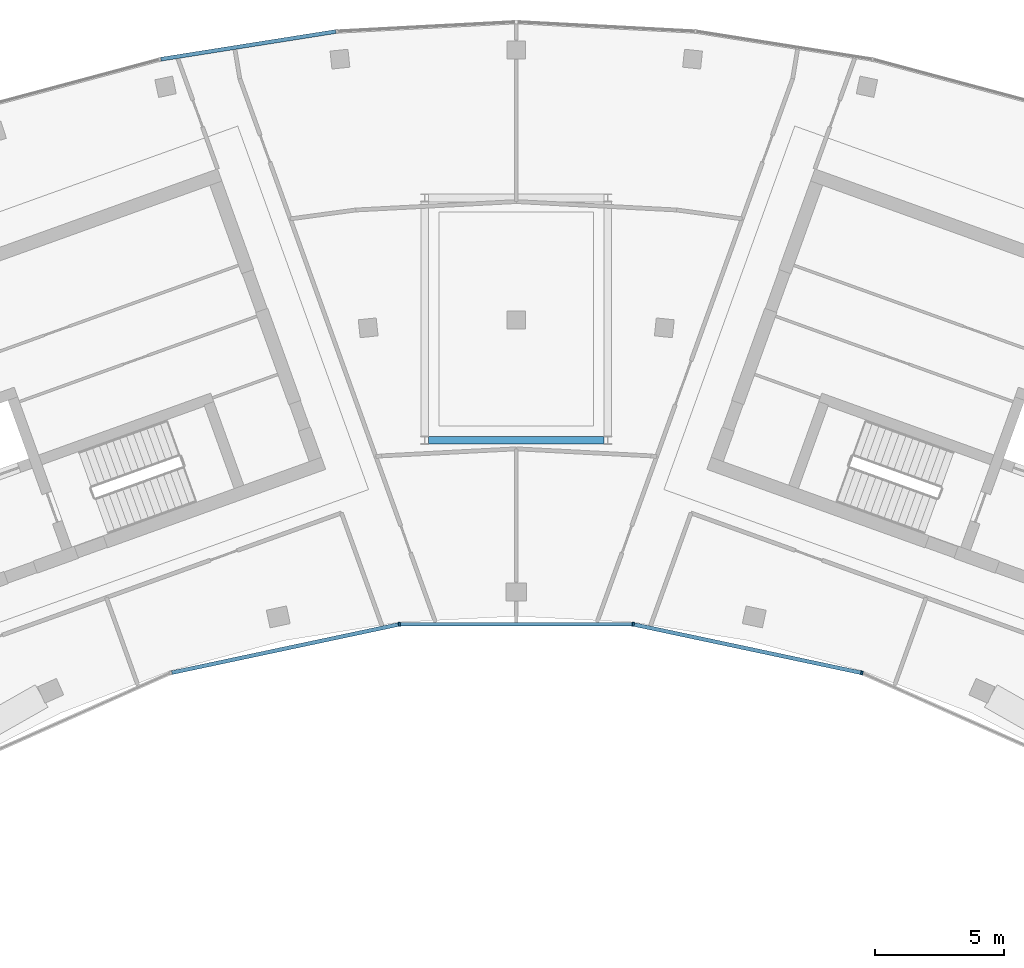
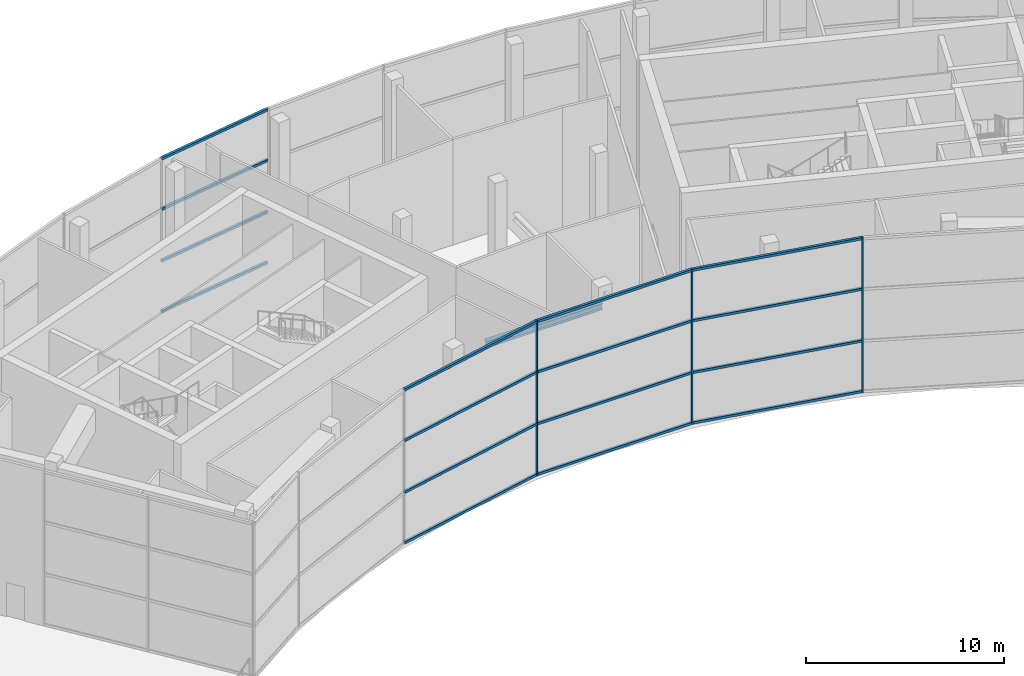
# One storey, part 5 of 20: 20 members, 2 elements without a shape of their own.
"""IFC4 building model written with IfcOpenShell, lengths in metres."""

from ifc_helpers import new_model, si_unit, direction, frame, origin, origin_2d, place, context, subcontext, project, spatial, rectangle, i_section, extrude, material, layer, layer_set, material_profile, profile_set, type_object, element, aggregate, save


model = new_model("IFC4")

# Units and contexts
model_context = context("Model", 3, precision=1e-05, world=origin(), true_north=direction((0.0, 1.0)))
body_context = subcontext(model_context, "Body", "Model", "MODEL_VIEW")
ifc_project = project(units=[si_unit("LENGTHUNIT", "METRE"), si_unit("AREAUNIT", "SQUARE_METRE"), si_unit("VOLUMEUNIT", "CUBIC_METRE"), si_unit("PLANEANGLEUNIT", "RADIAN"), si_unit("MASSUNIT", "GRAM", prefix="KILO")], contexts=[model_context])

# Site, building, storey
site_placement = place(None, origin())
site = spatial("IfcSite", under=ifc_project, at=site_placement, CompositionType="ELEMENT")
building_placement = place(site_placement, origin())
building = spatial("IfcBuilding", under=site, at=building_placement, Name="Stone Belt Terrace Tower", CompositionType="ELEMENT")
storey_placement = place(building_placement, frame((0.0, 0.0, 323.0)))
storey = spatial("IfcBuildingStorey", under=building, at=storey_placement, Name="L78", CompositionType="ELEMENT", Elevation=323.0)

# Curtain wall, members
ifc_material_1 = material(Name="Aluminium 6063-T6 anodised frame", Category="aluminium")
ifc_layer = layer(ifc_material_1, 0.14990234375)
ifc_layer_set = layer_set([ifc_layer], Name="CW-E conservatory and damper hall curtain wall")
curtain_wall_type = type_object("IfcCurtainWallType", Name="CW-E conservatory and damper hall curtain wall", PredefinedType="NOTDEFINED", material=ifc_layer_set)
curtain_wall_1_placement = place(storey_placement, origin())
curtain_wall_1 = element("IfcCurtainWall", 1, at=curtain_wall_1_placement, inside=storey, type_object=curtain_wall_type, Name="CW-E concave face L78", PredefinedType="NOTDEFINED")
ifc_material_profile_1 = material_profile(ifc_material_1, rectangle(XDim=0.14990234375, YDim=0.080078125, at=origin_2d()), Name="Aluminium 6063-T6 80x150")
ifc_profile_set_1 = profile_set([ifc_material_profile_1], Name="Aluminium 6063-T6 anodised frame")
member_type_1 = type_object("IfcMemberType", Name="CW-E mullion 80 x 150", PredefinedType="MULLION", material=ifc_profile_set_1)
member_1_placement = place(storey_placement, frame((-4.5390625, 43.186767578125, 0.0), z_axis=(0.0, 0.0, 1.0), x_axis=(-0.104528463268, 0.994521895368, 0.0)))
member_1 = element("IfcMember", 2, at=member_1_placement, type_object=member_type_1, Name="CW-E mullion 4", PredefinedType="MULLION", context=body_context, shape_type="SweptSolid", body=[
    extrude(rectangle(XDim=0.14990234375, YDim=0.080078125, at=origin_2d()), origin(), (0.0, 0.0, 1.0), 9.60009765625),
])
member_2_placement = place(storey_placement, frame((4.5390625, 43.186767578125, 0.0), z_axis=(0.0, 0.0, 1.0), x_axis=(0.104528463268, 0.994521895368, 0.0)))
member_2 = element("IfcMember", 3, at=member_2_placement, type_object=member_type_1, Name="CW-E mullion 5", PredefinedType="MULLION", context=body_context, shape_type="SweptSolid", body=[
    extrude(rectangle(XDim=0.14990234375, YDim=0.080078125, at=origin_2d()), origin(), (0.0, 0.0, 1.0), 9.60009765625),
])
member_3_placement = place(storey_placement, frame((13.4189453125, 41.29931640625, 0.0), z_axis=(0.0, 0.0, 1.0), x_axis=(0.309016994375, 0.951056516295, 0.0)))
member_3 = element("IfcMember", 4, at=member_3_placement, type_object=member_type_1, Name="CW-E mullion 6", PredefinedType="MULLION", context=body_context, shape_type="SweptSolid", body=[
    extrude(rectangle(XDim=0.14990234375, YDim=0.080078125, at=origin_2d()), origin(), (0.0, 0.0, 1.0), 9.60009765625),
])
ifc_material_profile_2 = material_profile(ifc_material_1, rectangle(XDim=0.14990234375, YDim=0.14990234375, at=origin_2d()), Name="Aluminium 6063-T6 150x150")
ifc_profile_set_2 = profile_set([ifc_material_profile_2], Name="Aluminium 6063-T6 anodised frame")
member_type_2 = type_object("IfcMemberType", Name="CW-E transom 150 x 150", PredefinedType="USERDEFINED", material=ifc_profile_set_2)
member_4_placement = place(storey_placement, frame((-13.372314453125, 41.30908203125, 0.074951171875), z_axis=(0.9781471069, 0.207914014109, 0.0), x_axis=(-0.207914014109, 0.9781471069, 0.0)))
member_4 = element("IfcMember", 5, at=member_4_placement, type_object=member_type_2, Name="CW-E transom 3.1", ObjectType="TRANSOM", PredefinedType="USERDEFINED", context=body_context, shape_type="SweptSolid", body=[
    extrude(rectangle(XDim=0.14990234375, YDim=0.14990234375, at=origin_2d()), origin(), (0.0, 0.0, 1.0), 8.98291015625),
])
member_5_placement = place(storey_placement, frame((-13.372314453125, 41.30908203125, 3.199951171875), z_axis=(0.9781471069, 0.207914014109, 0.0), x_axis=(-0.207914014109, 0.9781471069, 0.0)))
member_5 = element("IfcMember", 6, at=member_5_placement, type_object=member_type_2, Name="CW-E transom 3.2", ObjectType="TRANSOM", PredefinedType="USERDEFINED", context=body_context, shape_type="SweptSolid", body=[
    extrude(rectangle(XDim=0.14990234375, YDim=0.14990234375, at=origin_2d()), origin(), (0.0, 0.0, 1.0), 8.98291015625),
])
member_6_placement = place(storey_placement, frame((-13.372314453125, 41.30908203125, 6.39990234375), z_axis=(0.9781471069, 0.207914014109, 0.0), x_axis=(-0.207914014109, 0.9781471069, 0.0)))
member_6 = element("IfcMember", 7, at=member_6_placement, type_object=member_type_2, Name="CW-E transom 3.3", ObjectType="TRANSOM", PredefinedType="USERDEFINED", context=body_context, shape_type="SweptSolid", body=[
    extrude(rectangle(XDim=0.14990234375, YDim=0.14990234375, at=origin_2d()), origin(), (0.0, 0.0, 1.0), 8.98291015625),
])
member_7_placement = place(storey_placement, frame((-13.372314453125, 41.30908203125, 9.52490234375), z_axis=(0.9781471069, 0.207914014109, 0.0), x_axis=(-0.207914014109, 0.9781471069, 0.0)))
member_7 = element("IfcMember", 8, at=member_7_placement, type_object=member_type_2, Name="CW-E transom 3.4", ObjectType="TRANSOM", PredefinedType="USERDEFINED", context=body_context, shape_type="SweptSolid", body=[
    extrude(rectangle(XDim=0.14990234375, YDim=0.14990234375, at=origin_2d()), origin(), (0.0, 0.0, 1.0), 8.98291015625),
])
member_8_placement = place(storey_placement, frame((-4.491455078125, 43.186767578125, 0.074951171875), z_axis=(1.0, 0.0, 0.0), x_axis=(0.0, 1.0, 0.0)))
member_8 = element("IfcMember", 9, at=member_8_placement, type_object=member_type_2, Name="CW-E transom 4.1", ObjectType="TRANSOM", PredefinedType="USERDEFINED", context=body_context, shape_type="SweptSolid", body=[
    extrude(rectangle(XDim=0.14990234375, YDim=0.14990234375, at=origin_2d()), origin(), (0.0, 0.0, 1.0), 8.98291015625),
])
member_9_placement = place(storey_placement, frame((-4.491455078125, 43.186767578125, 3.199951171875), z_axis=(1.0, 0.0, 0.0), x_axis=(0.0, 1.0, 0.0)))
member_9 = element("IfcMember", 10, at=member_9_placement, type_object=member_type_2, Name="CW-E transom 4.2", ObjectType="TRANSOM", PredefinedType="USERDEFINED", context=body_context, shape_type="SweptSolid", body=[
    extrude(rectangle(XDim=0.14990234375, YDim=0.14990234375, at=origin_2d()), origin(), (0.0, 0.0, 1.0), 8.98291015625),
])
member_10_placement = place(storey_placement, frame((-4.491455078125, 43.186767578125, 6.39990234375), z_axis=(1.0, 0.0, 0.0), x_axis=(0.0, 1.0, 0.0)))
member_10 = element("IfcMember", 11, at=member_10_placement, type_object=member_type_2, Name="CW-E transom 4.3", ObjectType="TRANSOM", PredefinedType="USERDEFINED", context=body_context, shape_type="SweptSolid", body=[
    extrude(rectangle(XDim=0.14990234375, YDim=0.14990234375, at=origin_2d()), origin(), (0.0, 0.0, 1.0), 8.98291015625),
])
member_11_placement = place(storey_placement, frame((-4.491455078125, 43.186767578125, 9.52490234375), z_axis=(1.0, 0.0, 0.0), x_axis=(0.0, 1.0, 0.0)))
member_11 = element("IfcMember", 12, at=member_11_placement, type_object=member_type_2, Name="CW-E transom 4.4", ObjectType="TRANSOM", PredefinedType="USERDEFINED", context=body_context, shape_type="SweptSolid", body=[
    extrude(rectangle(XDim=0.14990234375, YDim=0.14990234375, at=origin_2d()), origin(), (0.0, 0.0, 1.0), 8.98291015625),
])
member_12_placement = place(storey_placement, frame((4.585693359375, 43.1767578125, 0.074951171875), z_axis=(0.9781471069, -0.207914014109, 0.0), x_axis=(0.207914014109, 0.9781471069, 0.0)))
member_12 = element("IfcMember", 13, at=member_12_placement, type_object=member_type_2, Name="CW-E transom 5.1", ObjectType="TRANSOM", PredefinedType="USERDEFINED", context=body_context, shape_type="SweptSolid", body=[
    extrude(rectangle(XDim=0.14990234375, YDim=0.14990234375, at=origin_2d()), origin(), (0.0, 0.0, 1.0), 8.98291015625),
])
member_13_placement = place(storey_placement, frame((4.585693359375, 43.1767578125, 3.199951171875), z_axis=(0.9781471069, -0.207914014109, 0.0), x_axis=(0.207914014109, 0.9781471069, 0.0)))
member_13 = element("IfcMember", 14, at=member_13_placement, type_object=member_type_2, Name="CW-E transom 5.2", ObjectType="TRANSOM", PredefinedType="USERDEFINED", context=body_context, shape_type="SweptSolid", body=[
    extrude(rectangle(XDim=0.14990234375, YDim=0.14990234375, at=origin_2d()), origin(), (0.0, 0.0, 1.0), 8.98291015625),
])
member_14_placement = place(storey_placement, frame((4.585693359375, 43.1767578125, 6.39990234375), z_axis=(0.9781471069, -0.207914014109, 0.0), x_axis=(0.207914014109, 0.9781471069, 0.0)))
member_14 = element("IfcMember", 15, at=member_14_placement, type_object=member_type_2, Name="CW-E transom 5.3", ObjectType="TRANSOM", PredefinedType="USERDEFINED", context=body_context, shape_type="SweptSolid", body=[
    extrude(rectangle(XDim=0.14990234375, YDim=0.14990234375, at=origin_2d()), origin(), (0.0, 0.0, 1.0), 8.98291015625),
])
member_15_placement = place(storey_placement, frame((4.585693359375, 43.1767578125, 9.52490234375), z_axis=(0.9781471069, -0.207914014109, 0.0), x_axis=(0.207914014109, 0.9781471069, 0.0)))
member_15 = element("IfcMember", 16, at=member_15_placement, type_object=member_type_2, Name="CW-E transom 5.4", ObjectType="TRANSOM", PredefinedType="USERDEFINED", context=body_context, shape_type="SweptSolid", body=[
    extrude(rectangle(XDim=0.14990234375, YDim=0.14990234375, at=origin_2d()), origin(), (0.0, 0.0, 1.0), 8.98291015625),
])
aggregate(curtain_wall_1, [member_1, member_2, member_3, member_4, member_5, member_6, member_7, member_8, member_9, member_10, member_11, member_12, member_13, member_14, member_15])

curtain_wall_2_placement = place(storey_placement, origin())
curtain_wall_2 = element("IfcCurtainWall", 17, at=curtain_wall_2_placement, inside=storey, type_object=curtain_wall_type, Name="CW-E convex face L78", PredefinedType="NOTDEFINED")
member_16_placement = place(storey_placement, frame((-7.00244140625, 66.20361328125, 0.074951171875), z_axis=(-0.987687185337, -0.156441758879, 0.0), x_axis=(0.156441758879, -0.987687185337, 0.0)))
member_16 = element("IfcMember", 18, at=member_16_placement, type_object=member_type_2, Name="CW-E transom 9.1", ObjectType="TRANSOM", PredefinedType="USERDEFINED", context=body_context, shape_type="SweptSolid", body=[
    extrude(rectangle(XDim=0.14990234375, YDim=0.14990234375, at=origin_2d()), origin(), (0.0, 0.0, 1.0), 6.880615234375),
])
member_17_placement = place(storey_placement, frame((-7.00244140625, 66.20361328125, 3.199951171875), z_axis=(-0.987687185337, -0.156441758879, 0.0), x_axis=(0.156441758879, -0.987687185337, 0.0)))
member_17 = element("IfcMember", 19, at=member_17_placement, type_object=member_type_2, Name="CW-E transom 9.2", ObjectType="TRANSOM", PredefinedType="USERDEFINED", context=body_context, shape_type="SweptSolid", body=[
    extrude(rectangle(XDim=0.14990234375, YDim=0.14990234375, at=origin_2d()), origin(), (0.0, 0.0, 1.0), 6.880615234375),
])
member_18_placement = place(storey_placement, frame((-7.00244140625, 66.20361328125, 6.39990234375), z_axis=(-0.987687185337, -0.156441758879, 0.0), x_axis=(0.156441758879, -0.987687185337, 0.0)))
member_18 = element("IfcMember", 20, at=member_18_placement, type_object=member_type_2, Name="CW-E transom 9.3", ObjectType="TRANSOM", PredefinedType="USERDEFINED", context=body_context, shape_type="SweptSolid", body=[
    extrude(rectangle(XDim=0.14990234375, YDim=0.14990234375, at=origin_2d()), origin(), (0.0, 0.0, 1.0), 6.880615234375),
])
member_19_placement = place(storey_placement, frame((-7.00244140625, 66.20361328125, 9.52490234375), z_axis=(-0.987687185337, -0.156441758879, 0.0), x_axis=(0.156441758879, -0.987687185337, 0.0)))
member_19 = element("IfcMember", 21, at=member_19_placement, type_object=member_type_2, Name="CW-E transom 9.4", ObjectType="TRANSOM", PredefinedType="USERDEFINED", context=body_context, shape_type="SweptSolid", body=[
    extrude(rectangle(XDim=0.14990234375, YDim=0.14990234375, at=origin_2d()), origin(), (0.0, 0.0, 1.0), 6.880615234375),
])
aggregate(curtain_wall_2, [member_16, member_17, member_18, member_19])

# Member
ifc_material_2 = material(Name="Structural steel C345", Category="steel")
ifc_material_profile_3 = material_profile(ifc_material_2, i_section(OverallWidth=0.300048828125, OverallDepth=0.389892578125, WebThickness=0.010009765625, FlangeThickness=0.01611328125, at=origin_2d()), Name="I 40Sh2")
ifc_profile_set_3 = profile_set([ifc_material_profile_3], Name="Structural steel C345")
member_type_3 = type_object("IfcMemberType", Name="Damper restraint ring I 40Sh2", PredefinedType="CHORD", material=ifc_profile_set_3)
member_20_placement = place(storey_placement, frame((-3.39990234375, 50.330810546875, 3.405029296875), z_axis=(1.0, 0.0, 0.0), x_axis=(0.0, 1.0, 0.0)))
element("IfcMember", 22, at=member_20_placement, inside=storey, type_object=member_type_3, Name="Damper restraint ring 1", PredefinedType="CHORD", context=body_context, shape_type="SweptSolid", body=[
    extrude(i_section(OverallWidth=0.300048828125, OverallDepth=0.389892578125, WebThickness=0.010009765625, FlangeThickness=0.01611328125, at=origin_2d()), origin(), (0.0, 0.0, 1.0), 6.7998046875),
])

save(model, "model.ifc")
